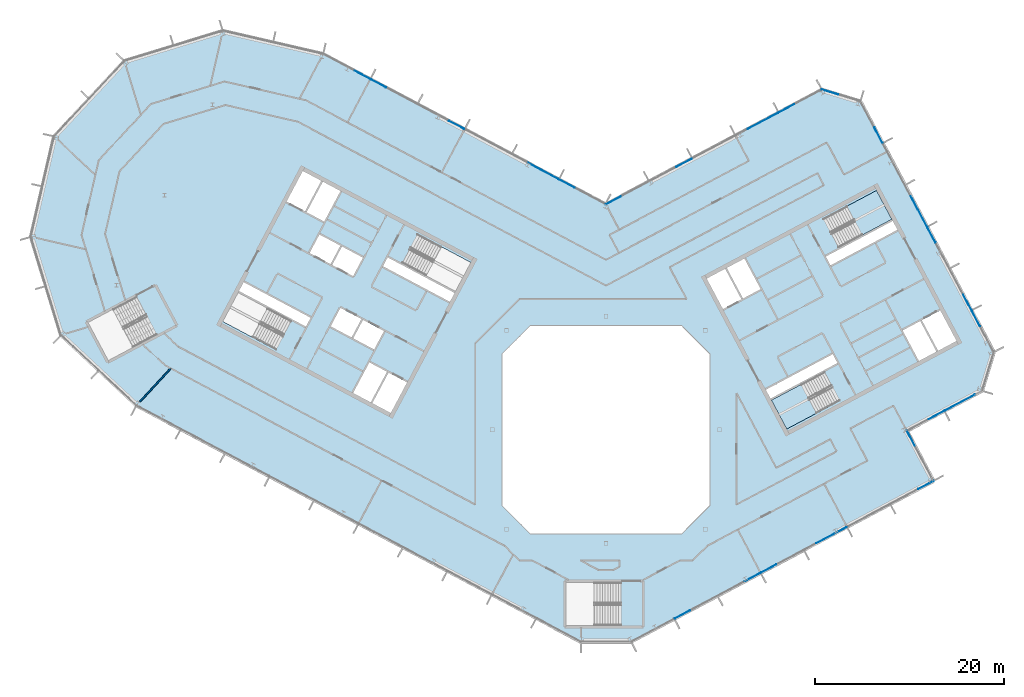
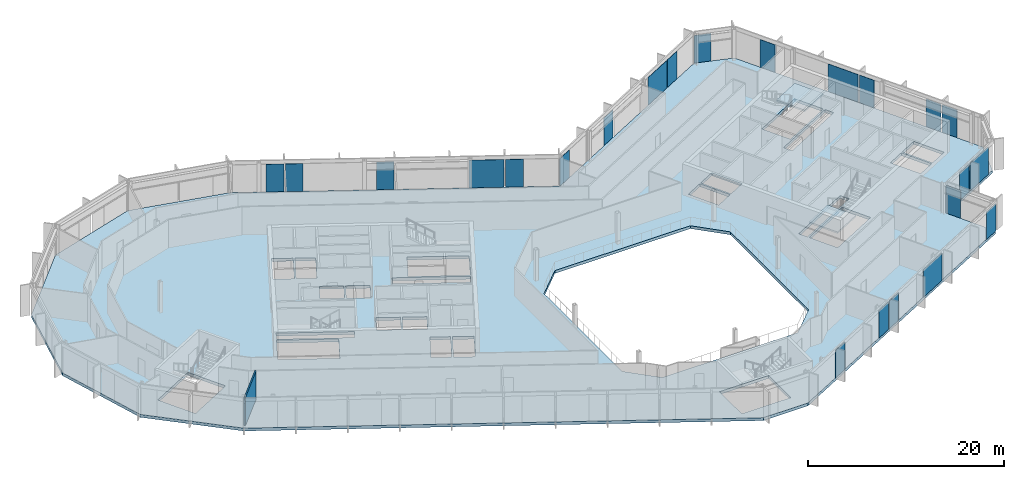
# One storey, part 12 of 26: 23 plates, 3 slabs, 1 wall, 9 elements without a shape of their own.
"""IFC4 building model written with IfcOpenShell, lengths in metres."""

from ifc_helpers import new_model, si_unit, direction, frame, frame_2d, origin, origin_2d, place, context, subcontext, project, spatial, polyline, rectangle, outline, extrude, material, layer, layer_set, type_object, element, aggregate, save


model = new_model("IFC4")

# Units and contexts
model_context = context("Model", 3, precision=1e-05, world=origin(), true_north=direction((0.0, 1.0)))
body_context = subcontext(model_context, "Body", "Model", "MODEL_VIEW")
ifc_project = project(units=[si_unit("LENGTHUNIT", "METRE"), si_unit("AREAUNIT", "SQUARE_METRE"), si_unit("VOLUMEUNIT", "CUBIC_METRE"), si_unit("PLANEANGLEUNIT", "RADIAN"), si_unit("MASSUNIT", "GRAM", prefix="KILO")], contexts=[model_context])

# Site, building, storey
site_placement = place(None, origin())
site = spatial("IfcSite", under=ifc_project, at=site_placement, CompositionType="ELEMENT")
building_placement = place(site_placement, origin())
building = spatial("IfcBuilding", under=site, at=building_placement, Name="Cormorant Relay Tower", CompositionType="ELEMENT")
storey_placement = place(building_placement, frame((0.0, 0.0, 312.60009765625)))
storey = spatial("IfcBuildingStorey", under=building, at=storey_placement, Name="L71", CompositionType="ELEMENT", Elevation=312.60009765625)

# Curtain wall, plates
ifc_material_1 = material(Name="Aluminium 6063-T6 anodised bronze", Category="aluminium")
ifc_layer_1 = layer(ifc_material_1, 0.199951171875)
ifc_layer_set_1 = layer_set([ifc_layer_1], Name="CW1 unitised bronze curtain wall with vertical fins")
curtain_wall_type = type_object("IfcCurtainWallType", Name="CW1 unitised bronze curtain wall with vertical fins", PredefinedType="NOTDEFINED", material=ifc_layer_set_1)
curtain_wall_1_placement = place(storey_placement, origin())
curtain_wall_1 = element("IfcCurtainWall", 1, at=curtain_wall_1_placement, inside=storey, type_object=curtain_wall_type, Name="CW1 curtain wall 2", PredefinedType="NOTDEFINED")
ifc_material_2 = material(Name="Tinted laminated glass", Category="glass")
ifc_layer_2 = layer(ifc_material_2, 0.0400390625)
ifc_layer_set_2 = layer_set([ifc_layer_2], Name="CW1 tinted vision panel 1800 module")
plate_type_1 = type_object("IfcPlateType", Name="CW1 tinted vision panel 1800 module", PredefinedType="CURTAIN_PANEL", material=ifc_layer_set_2)
plate_1_placement = place(storey_placement, frame((8.080810546875, -19.510009765625, 0.0), z_axis=(0.0, 0.0, 1.0), x_axis=(0.882947592859, 0.469471562786, 0.0)))
plate_1 = element("IfcPlate", 2, at=plate_1_placement, type_object=plate_type_1, Name="CW1 panel V01", PredefinedType="CURTAIN_PANEL", context=body_context, shape_type="SweptSolid", body=[
    extrude(rectangle(XDim=1.800048828125, YDim=0.0400390625, at=origin_2d()), origin(), (0.0, 0.0, 1.0), 3.449951171875),
])
plate_2_placement = place(storey_placement, frame((15.48291015625, -15.57421875, 0.0), z_axis=(0.0, 0.0, 1.0), x_axis=(0.882947592859, 0.469471562786, 0.0)))
plate_2 = element("IfcPlate", 3, at=plate_2_placement, type_object=plate_type_1, Name="CW1 panel V03", PredefinedType="CURTAIN_PANEL", context=body_context, shape_type="SweptSolid", body=[
    extrude(rectangle(XDim=1.800048828125, YDim=0.0400390625, at=origin_2d()), origin(), (0.0, 0.0, 1.0), 3.449951171875),
])
plate_3_placement = place(storey_placement, frame((17.20458984375, -14.65869140625, 0.0), z_axis=(0.0, 0.0, 1.0), x_axis=(0.882947592859, 0.469471562786, 0.0)))
plate_3 = element("IfcPlate", 4, at=plate_3_placement, type_object=plate_type_1, Name="CW1 panel V04", PredefinedType="CURTAIN_PANEL", context=body_context, shape_type="SweptSolid", body=[
    extrude(rectangle(XDim=1.800048828125, YDim=0.0400390625, at=origin_2d()), origin(), (0.0, 0.0, 1.0), 3.449951171875),
])
plate_4_placement = place(storey_placement, frame((33.796142578125, -5.8369140625, 0.0), z_axis=(0.0, 0.0, 1.0), x_axis=(0.882947592859, 0.469471562786, 0.0)))
plate_4 = element("IfcPlate", 5, at=plate_4_placement, type_object=plate_type_1, Name="CW1 panel V08", PredefinedType="CURTAIN_PANEL", context=body_context, shape_type="SweptSolid", body=[
    extrude(rectangle(XDim=1.800048828125, YDim=0.0400390625, at=origin_2d()), origin(), (0.0, 0.0, 1.0), 3.449951171875),
])

# Curtain wall, plate
curtain_wall_2_placement = place(storey_placement, origin())
curtain_wall_2 = element("IfcCurtainWall", 6, at=curtain_wall_2_placement, inside=storey, type_object=curtain_wall_type, Name="CW1 curtain wall 3", PredefinedType="NOTDEFINED")
plate_5_placement = place(storey_placement, frame((32.204833984375, -0.88427734375, 0.0), z_axis=(0.0, 0.0, 1.0), x_axis=(-0.469471562786, 0.882947592859, 0.0)))
plate_5 = element("IfcPlate", 7, at=plate_5_placement, type_object=plate_type_1, Name="CW1 panel V01", PredefinedType="CURTAIN_PANEL", context=body_context, shape_type="SweptSolid", body=[
    extrude(rectangle(XDim=1.800048828125, YDim=0.0400390625, at=origin_2d()), origin(), (0.0, 0.0, 1.0), 3.449951171875),
])
aggregate(curtain_wall_2, [plate_5])

curtain_wall_3_placement = place(storey_placement, origin())
curtain_wall_3 = element("IfcCurtainWall", 8, at=curtain_wall_3_placement, inside=storey, type_object=curtain_wall_type, Name="CW1 curtain wall 4", PredefinedType="NOTDEFINED")
plate_6_placement = place(storey_placement, frame((34.886474609375, 1.5380859375, 0.0), z_axis=(0.0, 0.0, 1.0), x_axis=(0.882947592859, 0.469471562786, 0.0)))
plate_6 = element("IfcPlate", 9, at=plate_6_placement, type_object=plate_type_1, Name="CW1 panel V01", PredefinedType="CURTAIN_PANEL", context=body_context, shape_type="SweptSolid", body=[
    extrude(rectangle(XDim=1.800048828125, YDim=0.0400390625, at=origin_2d()), origin(), (0.0, 0.0, 1.0), 3.449951171875),
])

# Curtain wall, plates
curtain_wall_4_placement = place(storey_placement, origin())
curtain_wall_4 = element("IfcCurtainWall", 10, at=curtain_wall_4_placement, inside=storey, type_object=curtain_wall_type, Name="CW1 curtain wall 6", PredefinedType="NOTDEFINED")
plate_7_placement = place(storey_placement, frame((39.07958984375, 11.74658203125, 0.0), z_axis=(0.0, 0.0, 1.0), x_axis=(-0.469471562786, 0.882947592859, 0.0)))
plate_7 = element("IfcPlate", 11, at=plate_7_placement, type_object=plate_type_1, Name="CW1 panel V01", PredefinedType="CURTAIN_PANEL", context=body_context, shape_type="SweptSolid", body=[
    extrude(rectangle(XDim=1.800048828125, YDim=0.0400390625, at=origin_2d()), origin(), (0.0, 0.0, 1.0), 3.449951171875),
])
plate_8_placement = place(storey_placement, frame((38.1640625, 13.468505859375, 0.0), z_axis=(0.0, 0.0, 1.0), x_axis=(-0.469471562786, 0.882947592859, 0.0)))
plate_8 = element("IfcPlate", 12, at=plate_8_placement, type_object=plate_type_1, Name="CW1 panel V02", PredefinedType="CURTAIN_PANEL", context=body_context, shape_type="SweptSolid", body=[
    extrude(rectangle(XDim=1.800048828125, YDim=0.0400390625, at=origin_2d()), origin(), (0.0, 0.0, 1.0), 3.449951171875),
])
plate_9_placement = place(storey_placement, frame((34.385009765625, 20.576171875, 0.0), z_axis=(0.0, 0.0, 1.0), x_axis=(-0.469471562786, 0.882947592859, 0.0)))
plate_9 = element("IfcPlate", 13, at=plate_9_placement, type_object=plate_type_1, Name="CW1 panel V04", PredefinedType="CURTAIN_PANEL", context=body_context, shape_type="SweptSolid", body=[
    extrude(rectangle(XDim=1.800048828125, YDim=0.0400390625, at=origin_2d()), origin(), (0.0, 0.0, 1.0), 3.449951171875),
])
plate_10_placement = place(storey_placement, frame((28.774658203125, 31.12744140625, 0.0), z_axis=(0.0, 0.0, 1.0), x_axis=(-0.469471562786, 0.882947592859, 0.0)))
plate_10 = element("IfcPlate", 14, at=plate_10_placement, type_object=plate_type_1, Name="CW1 panel V07", PredefinedType="CURTAIN_PANEL", context=body_context, shape_type="SweptSolid", body=[
    extrude(rectangle(XDim=1.800048828125, YDim=0.0400390625, at=origin_2d()), origin(), (0.0, 0.0, 1.0), 3.449951171875),
])

# Curtain wall, plate
curtain_wall_5_placement = place(storey_placement, origin())
curtain_wall_5 = element("IfcCurtainWall", 15, at=curtain_wall_5_placement, inside=storey, type_object=curtain_wall_type, Name="CW1 curtain wall 7", PredefinedType="NOTDEFINED")
plate_11_placement = place(storey_placement, frame((23.6767578125, 35.668212890625, 0.0), z_axis=(0.0, 0.0, 1.0), x_axis=(-0.956304755963, 0.292371704723, 0.0)))
plate_11 = element("IfcPlate", 16, at=plate_11_placement, type_object=plate_type_1, Name="CW1 panel V01", PredefinedType="CURTAIN_PANEL", context=body_context, shape_type="SweptSolid", body=[
    extrude(rectangle(XDim=1.800048828125, YDim=0.0400390625, at=origin_2d()), origin(), (0.0, 0.0, 1.0), 3.449951171875),
])
aggregate(curtain_wall_5, [plate_11])

# Curtain wall, plates
curtain_wall_6_placement = place(storey_placement, origin())
curtain_wall_6 = element("IfcCurtainWall", 17, at=curtain_wall_6_placement, inside=storey, type_object=curtain_wall_type, Name="CW1 curtain wall 8", PredefinedType="NOTDEFINED")
plate_12_placement = place(storey_placement, frame((19.099609375, 33.962158203125, 0.0), z_axis=(0.0, 0.0, 1.0), x_axis=(-0.882947592859, -0.469471562786, 0.0)))
plate_12 = element("IfcPlate", 18, at=plate_12_placement, type_object=plate_type_1, Name="CW1 panel V01", PredefinedType="CURTAIN_PANEL", context=body_context, shape_type="SweptSolid", body=[
    extrude(rectangle(XDim=1.800048828125, YDim=0.0400390625, at=origin_2d()), origin(), (0.0, 0.0, 1.0), 3.449951171875),
])
plate_13_placement = place(storey_placement, frame((8.25390625, 28.1953125, 0.0), z_axis=(0.0, 0.0, 1.0), x_axis=(-0.882947592859, -0.469471562786, 0.0)))
plate_13 = element("IfcPlate", 19, at=plate_13_placement, type_object=plate_type_1, Name="CW1 panel V04", PredefinedType="CURTAIN_PANEL", context=body_context, shape_type="SweptSolid", body=[
    extrude(rectangle(XDim=1.800048828125, YDim=0.0400390625, at=origin_2d()), origin(), (0.0, 0.0, 1.0), 3.449951171875),
])
plate_14_placement = place(storey_placement, frame((0.785400390625, 24.22412109375, 0.0), z_axis=(0.0, 0.0, 1.0), x_axis=(-0.882947592859, -0.469471562786, 0.0)))
plate_14 = element("IfcPlate", 20, at=plate_14_placement, type_object=plate_type_1, Name="CW1 panel V06", PredefinedType="CURTAIN_PANEL", context=body_context, shape_type="SweptSolid", body=[
    extrude(rectangle(XDim=1.800048828125, YDim=0.0400390625, at=origin_2d()), origin(), (0.0, 0.0, 1.0), 3.449951171875),
])

curtain_wall_7_placement = place(storey_placement, origin())
curtain_wall_7 = element("IfcCurtainWall", 21, at=curtain_wall_7_placement, inside=storey, type_object=curtain_wall_type, Name="CW1 curtain wall 9", PredefinedType="NOTDEFINED")
plate_15_placement = place(storey_placement, frame((-4.108642578125, 25.9912109375, 0.0), z_axis=(0.0, 0.0, 1.0), x_axis=(-0.882947592859, 0.469471562786, 0.0)))
plate_15 = element("IfcPlate", 22, at=plate_15_placement, type_object=plate_type_1, Name="CW1 panel V01", PredefinedType="CURTAIN_PANEL", context=body_context, shape_type="SweptSolid", body=[
    extrude(rectangle(XDim=1.800048828125, YDim=0.0400390625, at=origin_2d()), origin(), (0.0, 0.0, 1.0), 3.449951171875),
])
plate_16_placement = place(storey_placement, frame((-15.788330078125, 32.201416015625, 0.0), z_axis=(0.0, 0.0, 1.0), x_axis=(-0.882947592859, 0.469471562786, 0.0)))
plate_16 = element("IfcPlate", 23, at=plate_16_placement, type_object=plate_type_1, Name="CW1 panel V04", PredefinedType="CURTAIN_PANEL", context=body_context, shape_type="SweptSolid", body=[
    extrude(rectangle(XDim=1.800048828125, YDim=0.0400390625, at=origin_2d()), origin(), (0.0, 0.0, 1.0), 3.449951171875),
])
plate_17_placement = place(storey_placement, frame((-24.0244140625, 36.580810546875, 0.0), z_axis=(0.0, 0.0, 1.0), x_axis=(-0.882947592859, 0.469471562786, 0.0)))
plate_17 = element("IfcPlate", 24, at=plate_17_placement, type_object=plate_type_1, Name="CW1 panel V06", PredefinedType="CURTAIN_PANEL", context=body_context, shape_type="SweptSolid", body=[
    extrude(rectangle(XDim=1.800048828125, YDim=0.0400390625, at=origin_2d()), origin(), (0.0, 0.0, 1.0), 3.449951171875),
])
plate_18_placement = place(storey_placement, frame((-25.746337890625, 37.49609375, 0.0), z_axis=(0.0, 0.0, 1.0), x_axis=(-0.882947592859, 0.469471562786, 0.0)))
plate_18 = element("IfcPlate", 25, at=plate_18_placement, type_object=plate_type_1, Name="CW1 panel V07", PredefinedType="CURTAIN_PANEL", context=body_context, shape_type="SweptSolid", body=[
    extrude(rectangle(XDim=1.800048828125, YDim=0.0400390625, at=origin_2d()), origin(), (0.0, 0.0, 1.0), 3.449951171875),
])

# Plate
ifc_material_3 = material(Name="Tinted laminated glass", Category="glass")
ifc_layer_3 = layer(ifc_material_3, 0.0400390625)
ifc_layer_set_3 = layer_set([ifc_layer_3], Name="CW1 tinted vision panel 3600 module")
plate_type_2 = type_object("IfcPlateType", Name="CW1 tinted vision panel 3600 module", PredefinedType="CURTAIN_PANEL", material=ifc_layer_set_3)
plate_19_placement = place(storey_placement, frame((23.811767578125, -11.145751953125, 0.0), z_axis=(0.0, 0.0, 1.0), x_axis=(0.882947592859, 0.469471562786, 0.0)))
plate_19 = element("IfcPlate", 26, at=plate_19_placement, type_object=plate_type_2, Name="CW1 panel V06", PredefinedType="CURTAIN_PANEL", context=body_context, shape_type="SweptSolid", body=[
    extrude(rectangle(XDim=3.60009765625, YDim=0.0400390625, at=origin_2d()), origin(), (0.0, 0.0, 1.0), 3.449951171875),
])

aggregate(curtain_wall_1, [plate_1, plate_2, plate_3, plate_19, plate_4])

plate_20_placement = place(storey_placement, frame((37.40283203125, 2.876220703125, 0.0), z_axis=(0.0, 0.0, 1.0), x_axis=(0.882947592859, 0.469471562786, 0.0)))
plate_20 = element("IfcPlate", 27, at=plate_20_placement, type_object=plate_type_2, Name="CW1 panel V02", PredefinedType="CURTAIN_PANEL", context=body_context, shape_type="SweptSolid", body=[
    extrude(rectangle(XDim=3.60009765625, YDim=0.0400390625, at=origin_2d()), origin(), (0.0, 0.0, 1.0), 3.449951171875),
])

aggregate(curtain_wall_3, [plate_6, plate_20])

plate_21_placement = place(storey_placement, frame((33.046875, 23.092529296875, 0.0), z_axis=(0.0, 0.0, 1.0), x_axis=(-0.469471562786, 0.882947592859, 0.0)))
plate_21 = element("IfcPlate", 28, at=plate_21_placement, type_object=plate_type_2, Name="CW1 panel V05", PredefinedType="CURTAIN_PANEL", context=body_context, shape_type="SweptSolid", body=[
    extrude(rectangle(XDim=3.60009765625, YDim=0.0400390625, at=origin_2d()), origin(), (0.0, 0.0, 1.0), 3.449951171875),
])

aggregate(curtain_wall_4, [plate_7, plate_8, plate_9, plate_21, plate_10])

plate_22_placement = place(storey_placement, frame((16.583251953125, 32.6240234375, 0.0), z_axis=(0.0, 0.0, 1.0), x_axis=(-0.882947592859, -0.469471562786, 0.0)))
plate_22 = element("IfcPlate", 29, at=plate_22_placement, type_object=plate_type_2, Name="CW1 panel V02", PredefinedType="CURTAIN_PANEL", context=body_context, shape_type="SweptSolid", body=[
    extrude(rectangle(XDim=3.60009765625, YDim=0.0400390625, at=origin_2d()), origin(), (0.0, 0.0, 1.0), 3.449951171875),
])

aggregate(curtain_wall_6, [plate_12, plate_22, plate_13, plate_14])

plate_23_placement = place(storey_placement, frame((-6.625, 27.3291015625, 0.0), z_axis=(0.0, 0.0, 1.0), x_axis=(-0.882947592859, 0.469471562786, 0.0)))
plate_23 = element("IfcPlate", 30, at=plate_23_placement, type_object=plate_type_2, Name="CW1 panel V02", PredefinedType="CURTAIN_PANEL", context=body_context, shape_type="SweptSolid", body=[
    extrude(rectangle(XDim=3.60009765625, YDim=0.0400390625, at=origin_2d()), origin(), (0.0, 0.0, 1.0), 3.449951171875),
])

aggregate(curtain_wall_7, [plate_15, plate_23, plate_16, plate_17, plate_18])

# Stair, slab
ifc_material_4 = material(Name="Concrete 40 MPa", Category="concrete")
stair_type = type_object("IfcStairType", Name="Exit stair 1500", PredefinedType="HALF_TURN_STAIR", material=ifc_material_4)
stair_1_placement = place(storey_placement, origin())
stair_1 = element("IfcStair", 31, at=stair_1_placement, inside=storey, type_object=stair_type, Name="L71 Stair", PredefinedType="HALF_TURN_STAIR")
ifc_material_5 = material(Name="Concrete 40 MPa", Category="concrete")
ifc_layer_4 = layer(ifc_material_5, 0.199951171875)
ifc_layer_set_4 = layer_set([ifc_layer_4], Name="Exit stair landing 200")
slab_type_1 = type_object("IfcSlabType", Name="Exit stair landing 200", PredefinedType="LANDING", material=ifc_layer_set_4)
slab_1_placement = place(storey_placement, frame((0.0, 0.0, 1.75)))
slab_1 = element("IfcSlab", 32, at=slab_1_placement, type_object=slab_type_1, Name="B1 landing 1", PredefinedType="LANDING", context=body_context, shape_type="SweptSolid", body=[
    extrude(outline(polyline([(20.614990234375, 4.78857421875), (17.48046875, 3.1220703125), (19.10009765625, 0.075927734375), (22.234619140625, 1.742431640625), (20.614990234375, 4.78857421875)])), origin(), (0.0, 0.0, 1.0), 0.199951171875),
])
aggregate(stair_1, [slab_1])

stair_2_placement = place(storey_placement, origin())
stair_2 = element("IfcStair", 33, at=stair_2_placement, inside=storey, type_object=stair_type, Name="L71 Stair", PredefinedType="HALF_TURN_STAIR")
slab_2_placement = place(storey_placement, frame((0.0, 0.0, 1.75)))
slab_2 = element("IfcSlab", 34, at=slab_2_placement, type_object=slab_type_1, Name="B2 landing 1", PredefinedType="LANDING", context=body_context, shape_type="SweptSolid", body=[
    extrude(outline(polyline([(27.064208984375, 20.562744140625), (30.19873046875, 22.2294921875), (28.5791015625, 25.275634765625), (25.444580078125, 23.60888671875), (27.064208984375, 20.562744140625)])), origin(), (0.0, 0.0, 1.0), 0.199951171875),
])
aggregate(stair_2, [slab_2])

# Slab
ifc_material_6 = material(Name="Concrete 40 MPa", Category="concrete")
ifc_layer_5 = layer(ifc_material_6, 0.360107421875)
ifc_layer_set_5 = layer_set([ifc_layer_5], Name="Flat plate 360")
slab_type_2 = type_object("IfcSlabType", Name="Flat plate 360", PredefinedType="FLOOR", material=ifc_layer_set_5)
slab_3_placement = place(storey_placement, frame((0.0, 0.0, -0.360107421875)))
element("IfcSlab", 35, at=slab_3_placement, inside=storey, type_object=slab_type_2, Name="Floor slab L71", PredefinedType="FLOOR", context=body_context, shape_type="SweptSolid", body=[
    extrude(outline(polyline([(-60.7197265625, 20.393310546875), (-58.2744140625, 30.985107421875), (-50.86083984375, 38.935302734375), (-40.465576171875, 42.11328125), (-29.873779296875, 39.668212890625), (0.0, 23.783935546875), (22.810302734375, 35.912353515625), (26.867431640625, 34.671875), (40.95166015625, 8.18359375), (39.711181640625, 4.126220703125), (31.7646484375, -0.09912109375), (34.581298828125, -5.396728515625), (2.648681640625, -22.37548828125), (-2.648681640625, -22.37548828125), (-49.591552734375, 2.584228515625), (-57.541748046875, 9.997802734375), (-60.7197265625, 20.393310546875)]), holes=[polyline([(11.0, -8.0), (11.0, 8.0), (8.0, 11.0), (-8.0, 11.0), (-11.0, 8.0), (-11.0, -8.0), (-8.0, -11.0), (8.0, -11.0), (11.0, -8.0)]), polyline([(-22.95458984375, 6.03271484375), (-24.668212890625, 2.81005859375), (-22.725830078125, 1.777099609375), (-21.01220703125, 5.0), (-23.04296875, 6.07958984375), (-22.95458984375, 6.03271484375)]), polyline([(-24.985595703125, 7.112548828125), (-26.69921875, 3.889892578125), (-24.844970703125, 2.90380859375), (-23.13134765625, 6.126708984375), (-23.04296875, 6.07958984375), (-24.985595703125, 7.112548828125)]), polyline([(-24.481201171875, 8.48681640625), (-23.448486328125, 10.42919921875), (-25.656005859375, 11.602783203125), (-26.688720703125, 9.660400390625), (-24.481201171875, 8.48681640625)]), polyline([(-49.57861328125, 14.0537109375), (-54.69970703125, 11.330810546875), (-52.563720703125, 7.3134765625), (-47.442626953125, 10.036376953125), (-49.57861328125, 14.0537109375)]), polyline([(-25.83251953125, 11.69677734375), (-28.039794921875, 12.870361328125), (-29.07275390625, 10.927978515625), (-26.865234375, 9.75439453125), (-25.83251953125, 11.69677734375)]), polyline([(-38.847900390625, 14.483154296875), (-40.46728515625, 11.43701171875), (-34.860595703125, 8.455810546875), (-33.240966796875, 11.502197265625), (-38.847900390625, 14.483154296875)]), polyline([(-38.260986328125, 15.5869140625), (-38.75390625, 14.659912109375), (-31.690185546875, 10.904052734375), (-31.197265625, 11.8310546875), (-38.260986328125, 15.5869140625)]), polyline([(-26.702880859375, 16.23681640625), (-25.670166015625, 18.17919921875), (-27.87744140625, 19.35302734375), (-28.910400390625, 17.410400390625), (-26.702880859375, 16.23681640625)]), polyline([(-31.294189453125, 18.677978515625), (-29.0869140625, 17.50439453125), (-28.053955078125, 19.447021484375), (-30.261474609375, 20.62060546875), (-31.294189453125, 18.677978515625)]), polyline([(-31.611572265625, 22.980712890625), (-29.75732421875, 21.99462890625), (-28.043701171875, 25.217529296875), (-29.89794921875, 26.203369140625), (-31.611572265625, 22.980712890625)]), polyline([(-32.01708984375, 27.330078125), (-33.73046875, 24.107421875), (-31.7880859375, 23.074462890625), (-30.074462890625, 26.29736328125), (-32.01708984375, 27.330078125)]), polyline([(-4.199951171875, -16.125), (-4.199951171875, -20.675048828125), (1.60009765625, -20.675048828125), (1.60009765625, -16.125), (-4.199951171875, -16.125)]), polyline([(17.48046875, 3.1220703125), (19.10009765625, 0.07568359375), (24.706787109375, 3.056884765625), (23.087158203125, 6.10302734375), (17.48046875, 3.1220703125)]), polyline([(17.386474609375, 3.298583984375), (24.4501953125, 7.054443359375), (23.957275390625, 7.9814453125), (16.8935546875, 4.2255859375), (17.386474609375, 3.298583984375)]), polyline([(33.197021484375, 11.478515625), (31.3427734375, 10.49267578125), (33.056396484375, 7.27001953125), (34.910400390625, 8.255859375), (33.197021484375, 11.478515625)]), polyline([(33.37353515625, 11.572509765625), (35.087158203125, 8.349609375), (37.029541015625, 9.382568359375), (35.31591796875, 12.605224609375), (33.37353515625, 11.572509765625)]), polyline([(14.3056640625, 13.779052734375), (12.592041015625, 17.001708984375), (10.649658203125, 15.968994140625), (12.36328125, 12.74609375), (14.39404296875, 13.825927734375), (14.3056640625, 13.779052734375)]), polyline([(16.33642578125, 14.85888671875), (14.622802734375, 18.08154296875), (12.768798828125, 17.095703125), (14.482421875, 13.872802734375), (14.39404296875, 13.825927734375), (16.33642578125, 14.85888671875)]), polyline([(-16.481689453125, 13.520263671875), (-15.989013671875, 14.447509765625), (-23.052490234375, 18.203125), (-23.54541015625, 17.276123046875), (-16.481689453125, 13.520263671875)]), polyline([(-15.89501953125, 14.6240234375), (-14.275390625, 17.670166015625), (-19.882080078125, 20.6513671875), (-21.501708984375, 17.605224609375), (-15.89501953125, 14.6240234375)]), polyline([(30.78564453125, 21.125732421875), (30.29248046875, 22.052978515625), (23.22900390625, 18.297119140625), (23.721923828125, 17.3701171875), (30.78564453125, 21.125732421875)]), polyline([(24.592041015625, 19.248291015625), (30.19873046875, 22.2294921875), (28.5791015625, 25.275634765625), (22.972412109375, 22.29443359375), (24.592041015625, 19.248291015625)])]), origin(), (0.0, 0.0, 1.0), 0.360107421875),
])

# Wall
ifc_material_7 = material(Name="Gypsum board partition")
ifc_layer_6 = layer(ifc_material_7, 0.14990234375)
ifc_layer_set_6 = layer_set([ifc_layer_6], Name="Tenant partition 150")
wall_type = type_object("IfcWallType", Name="Tenant partition 150", PredefinedType="PARTITIONING", material=ifc_layer_set_6)
wall_placement = place(storey_placement, frame((-45.955078125, 6.48388671875, 0.0), z_axis=(0.0, 0.0, 1.0), x_axis=(-0.681984927176, -0.731366227758, 0.0)))
element("IfcWall", 36, at=wall_placement, inside=storey, type_object=wall_type, Name="wall/L71/part/027", PredefinedType="PARTITIONING", context=body_context, shape_type="SweptSolid", body=[
    extrude(rectangle(XDim=4.85498046875, YDim=0.14990234375, at=frame_2d((2.427490234375, 0.0))), origin(), (0.0, 0.0, 1.0), 3.539794921875),
])

save(model, "model.ifc")
